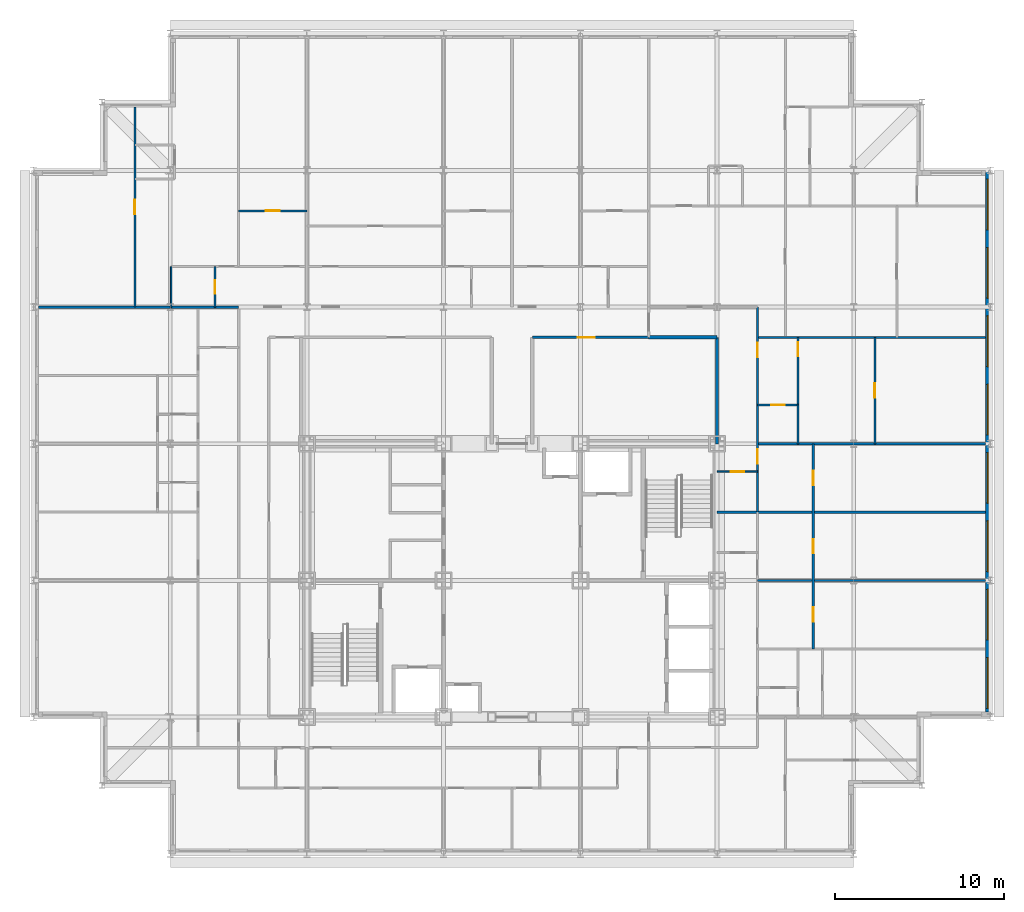
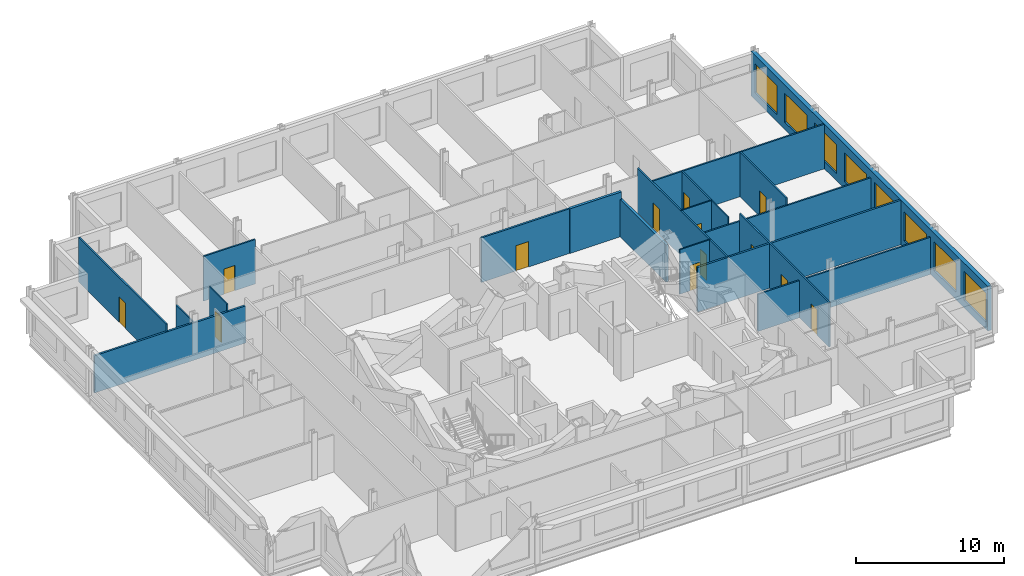
# One storey, part 11 of 15: 20 walls, 13 doors, 8 windows, 21 openings.
"""IFC4 building model written with IfcOpenShell, lengths in metres."""

from ifc_helpers import new_model, si_unit, direction, frame, frame_2d, origin, place, context, subcontext, project, spatial, rectangle, extrude, material, layer, layer_set, type_object, element, fill, save


model = new_model("IFC4")

# Units and contexts
model_context = context("Model", 3, precision=1e-05, world=origin(), true_north=direction((0.0, 1.0)))
body_context = subcontext(model_context, "Body", "Model", "MODEL_VIEW")
ifc_project = project(units=[si_unit("LENGTHUNIT", "METRE"), si_unit("AREAUNIT", "SQUARE_METRE"), si_unit("VOLUMEUNIT", "CUBIC_METRE"), si_unit("PLANEANGLEUNIT", "RADIAN"), si_unit("MASSUNIT", "GRAM", prefix="KILO")], contexts=[model_context])

# Site, building, storey
site_placement = place(None, origin())
site = spatial("IfcSite", under=ifc_project, at=site_placement, CompositionType="ELEMENT")
building_placement = place(site_placement, origin())
building = spatial("IfcBuilding", under=site, at=building_placement, Name="Kopane Lantern Tower", CompositionType="ELEMENT")
storey_placement = place(building_placement, frame((0.0, 0.0, 281.39990234375)))
storey = spatial("IfcBuildingStorey", under=building, at=storey_placement, Name="L72", CompositionType="ELEMENT", Elevation=281.39990234375)

# Wall
ifc_material_1 = material(Name="Gypsum board on steel studs", Category="steel")
ifc_layer_1 = layer(ifc_material_1, 0.1201171875)
ifc_layer_set_1 = layer_set([ifc_layer_1], Name="APARTMENT INTERNAL WALL 120")
wall_type_1 = type_object("IfcWallType", Name="APARTMENT INTERNAL WALL 120", PredefinedType="PARTITIONING", material=ifc_layer_set_1)
wall_1_placement = place(storey_placement, frame((42.89990234375, 32.39990234375, 0.0), z_axis=(0.0, 0.0, 1.0), x_axis=(1.0, 0.0, 0.0)))
element("IfcWall", 1, at=wall_1_placement, inside=storey, type_object=wall_type_1, Name="Apartment Internal Wall 120 L72", PredefinedType="PARTITIONING", context=body_context, shape_type="SweptSolid", body=[
    extrude(rectangle(XDim=13.5, YDim=0.1201171875, at=frame_2d((6.75, 0.0))), origin(), (0.0, 0.0, 1.0), 3.077880859375),
])

# Wall, openings, doors
wall_2_placement = place(storey_placement, frame((42.89990234375, 48.60009765625, 0.0), z_axis=(0.0, 0.0, 1.0), x_axis=(0.0, -1.0, 0.0)))
wall_2 = element("IfcWall", 2, at=wall_2_placement, inside=storey, type_object=wall_type_1, Name="Apartment Internal Wall 120 L72", PredefinedType="PARTITIONING", context=body_context, shape_type="SweptSolid", body=[
    extrude(rectangle(XDim=12.150146484375, YDim=0.1201171875, at=frame_2d((6.0751953125, 0.0))), origin(), (0.0, 0.0, 1.0), 3.690185546875),
])
opening_1_placement = place(wall_2_placement, frame((2.125, 0.0, 0.0)))
opening_1 = element("IfcOpeningElement", 3, at=opening_1_placement, cuts=wall_2, Name="Opening L72-052", PredefinedType="OPENING", context=body_context, shape_type="SweptSolid", body=[
    extrude(rectangle(XDim=0.85009765625, YDim=2.10009765625, at=frame_2d((0.425048828125, 1.050048828125))), frame((0.0, 0.070068359375, 0.0), z_axis=(0.0, -1.0, 0.0), x_axis=(1.0, 0.0, 0.0)), (0.0, 0.0, 1.0), 0.14013671875),
])
opening_2_placement = place(wall_2_placement, frame((8.425048828125, 0.0, 0.0)))
opening_2 = element("IfcOpeningElement", 4, at=opening_2_placement, cuts=wall_2, Name="Opening L72-053", PredefinedType="OPENING", context=body_context, shape_type="SweptSolid", body=[
    extrude(rectangle(XDim=0.85009765625, YDim=2.10009765625, at=frame_2d((0.425048828125, 1.050048828125))), frame((0.0, 0.070068359375, 0.0), z_axis=(0.0, -1.0, 0.0), x_axis=(1.0, 0.0, 0.0)), (0.0, 0.0, 1.0), 0.14013671875),
])
ifc_material_2 = material(Name="Timber door set", Category="wood")
door_type_1 = type_object("IfcDoorType", Name="DOOR D4 850x2100", OperationType="SINGLE_SWING_LEFT", PredefinedType="DOOR", material=ifc_material_2)
door_1_placement = place(opening_1_placement, origin())
door_1 = element("IfcDoor", 5, at=door_1_placement, inside=storey, type_object=door_type_1, Name="Door L72-052", OperationType="SINGLE_SWING_LEFT", OverallHeight=2.10009765625, OverallWidth=0.85009765625, PredefinedType="DOOR", context=body_context, shape_type="SweptSolid", body=[
    extrude(rectangle(XDim=0.85009765625, YDim=2.10009765625, at=frame_2d((0.425048828125, 1.050048828125))), frame((0.0, 0.02490234375, 0.0), z_axis=(0.0, -1.0, 0.0), x_axis=(1.0, 0.0, 0.0)), (0.0, 0.0, 1.0), 0.050048828125),
])
fill(opening_1, door_1)
door_2_placement = place(opening_2_placement, origin())
door_2 = element("IfcDoor", 6, at=door_2_placement, inside=storey, type_object=door_type_1, Name="Door L72-053", OperationType="SINGLE_SWING_LEFT", OverallHeight=2.10009765625, OverallWidth=0.85009765625, PredefinedType="DOOR", context=body_context, shape_type="SweptSolid", body=[
    extrude(rectangle(XDim=0.85009765625, YDim=2.10009765625, at=frame_2d((0.425048828125, 1.050048828125))), frame((0.0, 0.02490234375, 0.0), z_axis=(0.0, -1.0, 0.0), x_axis=(1.0, 0.0, 0.0)), (0.0, 0.0, 1.0), 0.050048828125),
])
fill(opening_2, door_2)

# Walls
wall_3_placement = place(storey_placement, frame((42.89990234375, 46.800048828125, 0.0), z_axis=(0.0, 0.0, 1.0), x_axis=(1.0, 0.0, 0.0)))
element("IfcWall", 7, at=wall_3_placement, inside=storey, type_object=wall_type_1, Name="Apartment Internal Wall 120 L72", PredefinedType="PARTITIONING", context=body_context, shape_type="SweptSolid", body=[
    extrude(rectangle(XDim=13.5, YDim=0.1201171875, at=frame_2d((6.75, 0.0))), origin(), (0.0, 0.0, 1.0), 3.690185546875),
])
wall_4_placement = place(storey_placement, frame((42.89990234375, 40.5, 0.0), z_axis=(0.0, 0.0, 1.0), x_axis=(1.0, 0.0, 0.0)))
element("IfcWall", 8, at=wall_4_placement, inside=storey, type_object=wall_type_1, Name="Apartment Internal Wall 120 L72", PredefinedType="PARTITIONING", context=body_context, shape_type="SweptSolid", body=[
    extrude(rectangle(XDim=13.5, YDim=0.1201171875, at=frame_2d((6.75, 0.0))), origin(), (0.0, 0.0, 1.0), 3.077880859375),
])

# Wall, opening, door
wall_5_placement = place(storey_placement, frame((45.300048828125, 46.800048828125, 0.0), z_axis=(0.0, 0.0, 1.0), x_axis=(0.0, -1.0, 0.0)))
wall_5 = element("IfcWall", 9, at=wall_5_placement, inside=storey, type_object=wall_type_1, Name="Apartment Internal Wall 120 L72", PredefinedType="PARTITIONING", context=body_context, shape_type="SweptSolid", body=[
    extrude(rectangle(XDim=4.010009765625, YDim=0.1201171875, at=frame_2d((2.0048828125, 0.0))), origin(), (0.0, 0.0, 1.0), 3.690185546875),
])
opening_3_placement = place(wall_5_placement, frame((0.27490234375, 0.0, 0.0)))
opening_3 = element("IfcOpeningElement", 10, at=opening_3_placement, cuts=wall_5, Name="Opening L72-059", PredefinedType="OPENING", context=body_context, shape_type="SweptSolid", body=[
    extrude(rectangle(XDim=0.85009765625, YDim=2.10009765625, at=frame_2d((0.425048828125, 1.050048828125))), frame((0.0, 0.070068359375, 0.0), z_axis=(0.0, -1.0, 0.0), x_axis=(1.0, 0.0, 0.0)), (0.0, 0.0, 1.0), 0.14013671875),
])
door_3_placement = place(opening_3_placement, origin())
door_3 = element("IfcDoor", 11, at=door_3_placement, inside=storey, type_object=door_type_1, Name="Door L72-059", OperationType="SINGLE_SWING_LEFT", OverallHeight=2.10009765625, OverallWidth=0.85009765625, PredefinedType="DOOR", context=body_context, shape_type="SweptSolid", body=[
    extrude(rectangle(XDim=0.85009765625, YDim=2.10009765625, at=frame_2d((0.425048828125, 1.050048828125))), frame((0.0, 0.02490234375, 0.0), z_axis=(0.0, -1.0, 0.0), x_axis=(1.0, 0.0, 0.0)), (0.0, 0.0, 1.0), 0.050048828125),
])
fill(opening_3, door_3)

wall_6_placement = place(storey_placement, frame((12.14990234375, 54.300048828125, 0.0), z_axis=(0.0, 0.0, 1.0), x_axis=(1.0, 0.0, 0.0)))
wall_6 = element("IfcWall", 12, at=wall_6_placement, inside=storey, type_object=wall_type_1, Name="Apartment Internal Wall 120 L72", PredefinedType="PARTITIONING", context=body_context, shape_type="SweptSolid", body=[
    extrude(rectangle(XDim=4.050048828125, YDim=0.1201171875, at=frame_2d((2.02490234375, 0.0))), origin(), (0.0, 0.0, 1.0), 3.690185546875),
])
opening_4_placement = place(wall_6_placement, frame((1.60009765625, 0.0, 0.0)))
opening_4 = element("IfcOpeningElement", 13, at=opening_4_placement, cuts=wall_6, Name="Opening L72-063", PredefinedType="OPENING", context=body_context, shape_type="SweptSolid", body=[
    extrude(rectangle(XDim=0.85009765625, YDim=2.10009765625, at=frame_2d((0.425048828125, 1.050048828125))), frame((0.0, 0.070068359375, 0.0), z_axis=(0.0, -1.0, 0.0), x_axis=(1.0, 0.0, 0.0)), (0.0, 0.0, 1.0), 0.14013671875),
])
door_4_placement = place(opening_4_placement, origin())
door_4 = element("IfcDoor", 14, at=door_4_placement, inside=storey, type_object=door_type_1, Name="Door L72-063", OperationType="SINGLE_SWING_RIGHT", OverallHeight=2.10009765625, OverallWidth=0.85009765625, PredefinedType="DOOR", context=body_context, shape_type="SweptSolid", body=[
    extrude(rectangle(XDim=0.85009765625, YDim=2.10009765625, at=frame_2d((0.425048828125, 1.050048828125))), frame((0.0, 0.02490234375, 0.0), z_axis=(0.0, -1.0, 0.0), x_axis=(1.0, 0.0, 0.0)), (0.0, 0.0, 1.0), 0.050048828125),
])
fill(opening_4, door_4)

wall_7_placement = place(storey_placement, frame((6.0, 48.60009765625, 0.0), z_axis=(0.0, 0.0, 1.0), x_axis=(0.0, 1.0, 0.0)))
wall_7 = element("IfcWall", 15, at=wall_7_placement, inside=storey, type_object=wall_type_1, Name="Apartment Internal Wall 120 L72", PredefinedType="PARTITIONING", context=body_context, shape_type="SweptSolid", body=[
    extrude(rectangle(XDim=11.849853515625, YDim=0.1201171875, at=frame_2d((5.9248046875, 0.0))), origin(), (0.0, 0.0, 1.0), 3.690185546875),
])
opening_5_placement = place(wall_7_placement, frame((5.5, 0.0, 0.0)))
opening_5 = element("IfcOpeningElement", 16, at=opening_5_placement, cuts=wall_7, Name="Opening L72-064", PredefinedType="OPENING", context=body_context, shape_type="SweptSolid", body=[
    extrude(rectangle(XDim=0.85009765625, YDim=2.10009765625, at=frame_2d((0.425048828125, 1.050048828125))), frame((0.0, 0.070068359375, 0.0), z_axis=(0.0, -1.0, 0.0), x_axis=(1.0, 0.0, 0.0)), (0.0, 0.0, 1.0), 0.14013671875),
])
door_5_placement = place(opening_5_placement, origin())
door_5 = element("IfcDoor", 17, at=door_5_placement, inside=storey, type_object=door_type_1, Name="Door L72-064", OperationType="SINGLE_SWING_LEFT", OverallHeight=2.10009765625, OverallWidth=0.85009765625, PredefinedType="DOOR", context=body_context, shape_type="SweptSolid", body=[
    extrude(rectangle(XDim=0.85009765625, YDim=2.10009765625, at=frame_2d((0.425048828125, 1.050048828125))), frame((0.0, 0.02490234375, 0.0), z_axis=(0.0, -1.0, 0.0), x_axis=(1.0, 0.0, 0.0)), (0.0, 0.0, 1.0), 0.050048828125),
])
fill(opening_5, door_5)

# Wall, openings, doors
wall_8_placement = place(storey_placement, frame((46.199951171875, 28.35009765625, 0.0), z_axis=(0.0, 0.0, 1.0), x_axis=(0.0, 1.0, 0.0)))
wall_8 = element("IfcWall", 18, at=wall_8_placement, inside=storey, type_object=wall_type_1, Name="Apartment Internal Wall 120 L72", PredefinedType="PARTITIONING", context=body_context, shape_type="SweptSolid", body=[
    extrude(rectangle(XDim=12.14990234375, YDim=0.1201171875, at=frame_2d((6.074951171875, 0.0))), origin(), (0.0, 0.0, 1.0), 3.690185546875),
])
opening_6_placement = place(wall_8_placement, frame((1.60009765625, 0.0, 0.0)))
opening_6 = element("IfcOpeningElement", 19, at=opening_6_placement, cuts=wall_8, Name="Opening L72-067", PredefinedType="OPENING", context=body_context, shape_type="SweptSolid", body=[
    extrude(rectangle(XDim=0.85009765625, YDim=2.10009765625, at=frame_2d((0.425048828125, 1.050048828125))), frame((0.0, 0.070068359375, 0.0), z_axis=(0.0, -1.0, 0.0), x_axis=(1.0, 0.0, 0.0)), (0.0, 0.0, 1.0), 0.14013671875),
])
opening_7_placement = place(wall_8_placement, frame((5.64990234375, 0.0, 0.0)))
opening_7 = element("IfcOpeningElement", 20, at=opening_7_placement, cuts=wall_8, Name="Opening L72-068", PredefinedType="OPENING", context=body_context, shape_type="SweptSolid", body=[
    extrude(rectangle(XDim=0.85009765625, YDim=2.10009765625, at=frame_2d((0.425048828125, 1.050048828125))), frame((0.0, 0.070068359375, 0.0), z_axis=(0.0, -1.0, 0.0), x_axis=(1.0, 0.0, 0.0)), (0.0, 0.0, 1.0), 0.14013671875),
])
opening_8_placement = place(wall_8_placement, frame((9.699951171875, 0.0, 0.0)))
opening_8 = element("IfcOpeningElement", 21, at=opening_8_placement, cuts=wall_8, Name="Opening L72-072", PredefinedType="OPENING", context=body_context, shape_type="SweptSolid", body=[
    extrude(rectangle(XDim=0.85009765625, YDim=2.10009765625, at=frame_2d((0.425048828125, 1.050048828125))), frame((0.0, 0.070068359375, 0.0), z_axis=(0.0, -1.0, 0.0), x_axis=(1.0, 0.0, 0.0)), (0.0, 0.0, 1.0), 0.14013671875),
])
door_6_placement = place(opening_6_placement, origin())
door_6 = element("IfcDoor", 22, at=door_6_placement, inside=storey, type_object=door_type_1, Name="Door L72-067", OperationType="SINGLE_SWING_LEFT", OverallHeight=2.10009765625, OverallWidth=0.85009765625, PredefinedType="DOOR", context=body_context, shape_type="SweptSolid", body=[
    extrude(rectangle(XDim=0.85009765625, YDim=2.10009765625, at=frame_2d((0.425048828125, 1.050048828125))), frame((0.0, 0.02490234375, 0.0), z_axis=(0.0, -1.0, 0.0), x_axis=(1.0, 0.0, 0.0)), (0.0, 0.0, 1.0), 0.050048828125),
])
fill(opening_6, door_6)
door_7_placement = place(opening_7_placement, origin())
door_7 = element("IfcDoor", 23, at=door_7_placement, inside=storey, type_object=door_type_1, Name="Door L72-068", OperationType="SINGLE_SWING_RIGHT", OverallHeight=2.10009765625, OverallWidth=0.85009765625, PredefinedType="DOOR", context=body_context, shape_type="SweptSolid", body=[
    extrude(rectangle(XDim=0.85009765625, YDim=2.10009765625, at=frame_2d((0.425048828125, 1.050048828125))), frame((0.0, 0.02490234375, 0.0), z_axis=(0.0, -1.0, 0.0), x_axis=(1.0, 0.0, 0.0)), (0.0, 0.0, 1.0), 0.050048828125),
])
fill(opening_7, door_7)
door_8_placement = place(opening_8_placement, origin())
door_8 = element("IfcDoor", 24, at=door_8_placement, inside=storey, type_object=door_type_1, Name="Door L72-072", OperationType="SINGLE_SWING_LEFT", OverallHeight=2.10009765625, OverallWidth=0.85009765625, PredefinedType="DOOR", context=body_context, shape_type="SweptSolid", body=[
    extrude(rectangle(XDim=0.85009765625, YDim=2.10009765625, at=frame_2d((0.425048828125, 1.050048828125))), frame((0.0, 0.02490234375, 0.0), z_axis=(0.0, -1.0, 0.0), x_axis=(1.0, 0.0, 0.0)), (0.0, 0.0, 1.0), 0.050048828125),
])
fill(opening_8, door_8)

# Wall, opening, door
wall_9_placement = place(storey_placement, frame((49.85009765625, 40.5, 0.0), z_axis=(0.0, 0.0, 1.0), x_axis=(0.0, 1.0, 0.0)))
wall_9 = element("IfcWall", 25, at=wall_9_placement, inside=storey, type_object=wall_type_1, Name="Apartment Internal Wall 120 L72", PredefinedType="PARTITIONING", context=body_context, shape_type="SweptSolid", body=[
    extrude(rectangle(XDim=6.300048828125, YDim=0.1201171875, at=frame_2d((3.14990234375, 0.0))), origin(), (0.0, 0.0, 1.0), 3.690185546875),
])
opening_9_placement = place(wall_9_placement, frame((2.72509765625, 0.0, 0.0)))
opening_9 = element("IfcOpeningElement", 26, at=opening_9_placement, cuts=wall_9, Name="Opening L72-071", PredefinedType="OPENING", context=body_context, shape_type="SweptSolid", body=[
    extrude(rectangle(XDim=0.85009765625, YDim=2.10009765625, at=frame_2d((0.425048828125, 1.050048828125))), frame((0.0, 0.070068359375, 0.0), z_axis=(0.0, -1.0, 0.0), x_axis=(1.0, 0.0, 0.0)), (0.0, 0.0, 1.0), 0.14013671875),
])
door_9_placement = place(opening_9_placement, origin())
door_9 = element("IfcDoor", 27, at=door_9_placement, inside=storey, type_object=door_type_1, Name="Door L72-071", OperationType="SINGLE_SWING_LEFT", OverallHeight=2.10009765625, OverallWidth=0.85009765625, PredefinedType="DOOR", context=body_context, shape_type="SweptSolid", body=[
    extrude(rectangle(XDim=0.85009765625, YDim=2.10009765625, at=frame_2d((0.425048828125, 1.050048828125))), frame((0.0, 0.02490234375, 0.0), z_axis=(0.0, -1.0, 0.0), x_axis=(1.0, 0.0, 0.0)), (0.0, 0.0, 1.0), 0.050048828125),
])
fill(opening_9, door_9)

ifc_material_3 = material(Name="Moisture-resistant board on steel studs", Category="steel")
ifc_layer_2 = layer(ifc_material_3, 0.10009765625)
ifc_layer_set_2 = layer_set([ifc_layer_2], Name="BATHROOM WALL 100")
wall_type_2 = type_object("IfcWallType", Name="BATHROOM WALL 100", PredefinedType="PARTITIONING", material=ifc_layer_set_2)
wall_10_placement = place(storey_placement, frame((10.75, 48.60009765625, 0.0), z_axis=(0.0, 0.0, 1.0), x_axis=(0.0, 1.0, 0.0)))
wall_10 = element("IfcWall", 28, at=wall_10_placement, inside=storey, type_object=wall_type_2, Name="Bathroom Wall 100 L72", PredefinedType="PARTITIONING", context=body_context, shape_type="SweptSolid", body=[
    extrude(rectangle(XDim=2.39990234375, YDim=0.10009765625, at=frame_2d((1.199951171875, 0.0))), origin(), (0.0, 0.0, 1.0), 3.690185546875),
])
opening_10_placement = place(wall_10_placement, frame((0.800048828125, 0.0, 0.0)))
opening_10 = element("IfcOpeningElement", 29, at=opening_10_placement, cuts=wall_10, Name="Opening L72-035", PredefinedType="OPENING", context=body_context, shape_type="SweptSolid", body=[
    extrude(rectangle(XDim=0.800048828125, YDim=2.10009765625, at=frame_2d((0.39990234375, 1.050048828125))), frame((0.0, 0.06005859375, 0.0), z_axis=(0.0, -1.0, 0.0), x_axis=(1.0, 0.0, 0.0)), (0.0, 0.0, 1.0), 0.1201171875),
])
ifc_material_4 = material(Name="Timber door set", Category="wood")
door_type_2 = type_object("IfcDoorType", Name="DOOR D2 800x2100", OperationType="SINGLE_SWING_LEFT", PredefinedType="DOOR", material=ifc_material_4)
door_10_placement = place(opening_10_placement, origin())
door_10 = element("IfcDoor", 30, at=door_10_placement, inside=storey, type_object=door_type_2, Name="Door L72-035", OperationType="SINGLE_SWING_LEFT", OverallHeight=2.10009765625, OverallWidth=0.800048828125, PredefinedType="DOOR", context=body_context, shape_type="SweptSolid", body=[
    extrude(rectangle(XDim=0.800048828125, YDim=2.10009765625, at=frame_2d((0.39990234375, 1.050048828125))), frame((0.0, 0.02490234375, 0.0), z_axis=(0.0, -1.0, 0.0), x_axis=(1.0, 0.0, 0.0)), (0.0, 0.0, 1.0), 0.050048828125),
])
fill(opening_10, door_10)

# Wall
wall_11_placement = place(storey_placement, frame((8.14990234375, 48.60009765625, 0.0), z_axis=(0.0, 0.0, 1.0), x_axis=(0.0, 1.0, 0.0)))
element("IfcWall", 31, at=wall_11_placement, inside=storey, type_object=wall_type_2, Name="Bathroom Wall 100 L72", PredefinedType="PARTITIONING", context=body_context, shape_type="SweptSolid", body=[
    extrude(rectangle(XDim=2.39990234375, YDim=0.10009765625, at=frame_2d((1.199951171875, 0.0))), origin(), (0.0, 0.0, 1.0), 3.077880859375),
])

# Wall, opening, door
wall_12_placement = place(storey_placement, frame((40.5, 38.85009765625, 0.0), z_axis=(0.0, 0.0, 1.0), x_axis=(1.0, 0.0, 0.0)))
wall_12 = element("IfcWall", 32, at=wall_12_placement, inside=storey, type_object=wall_type_2, Name="Bathroom Wall 100 L72", PredefinedType="PARTITIONING", context=body_context, shape_type="SweptSolid", body=[
    extrude(rectangle(XDim=2.39990234375, YDim=0.10009765625, at=frame_2d((1.199951171875, 0.0))), origin(), (0.0, 0.0, 1.0), 3.690185546875),
])
opening_11_placement = place(wall_12_placement, frame((0.800048828125, 0.0, 0.0)))
opening_11 = element("IfcOpeningElement", 33, at=opening_11_placement, cuts=wall_12, Name="Opening L72-046", PredefinedType="OPENING", context=body_context, shape_type="SweptSolid", body=[
    extrude(rectangle(XDim=0.800048828125, YDim=2.10009765625, at=frame_2d((0.39990234375, 1.050048828125))), frame((0.0, 0.06005859375, 0.0), z_axis=(0.0, -1.0, 0.0), x_axis=(1.0, 0.0, 0.0)), (0.0, 0.0, 1.0), 0.1201171875),
])
door_11_placement = place(opening_11_placement, origin())
door_11 = element("IfcDoor", 34, at=door_11_placement, inside=storey, type_object=door_type_2, Name="Door L72-046", OperationType="SINGLE_SWING_RIGHT", OverallHeight=2.10009765625, OverallWidth=0.800048828125, PredefinedType="DOOR", context=body_context, shape_type="SweptSolid", body=[
    extrude(rectangle(XDim=0.800048828125, YDim=2.10009765625, at=frame_2d((0.39990234375, 1.050048828125))), frame((0.0, 0.02490234375, 0.0), z_axis=(0.0, -1.0, 0.0), x_axis=(1.0, 0.0, 0.0)), (0.0, 0.0, 1.0), 0.050048828125),
])
fill(opening_11, door_11)

wall_13_placement = place(storey_placement, frame((42.89990234375, 42.800048828125, 0.0), z_axis=(0.0, 0.0, 1.0), x_axis=(1.0, 0.0, 0.0)))
wall_13 = element("IfcWall", 35, at=wall_13_placement, inside=storey, type_object=wall_type_2, Name="Bathroom Wall 100 L72", PredefinedType="PARTITIONING", context=body_context, shape_type="SweptSolid", body=[
    extrude(rectangle(XDim=2.400146484375, YDim=0.10009765625, at=frame_2d((1.2001953125, 0.0))), origin(), (0.0, 0.0, 1.0), 3.690185546875),
])
opening_12_placement = place(wall_13_placement, frame((0.800048828125, 0.0, 0.0)))
opening_12 = element("IfcOpeningElement", 36, at=opening_12_placement, cuts=wall_13, Name="Opening L72-051", PredefinedType="OPENING", context=body_context, shape_type="SweptSolid", body=[
    extrude(rectangle(XDim=0.800048828125, YDim=2.10009765625, at=frame_2d((0.39990234375, 1.050048828125))), frame((0.0, 0.06005859375, 0.0), z_axis=(0.0, -1.0, 0.0), x_axis=(1.0, 0.0, 0.0)), (0.0, 0.0, 1.0), 0.1201171875),
])
door_12_placement = place(opening_12_placement, origin())
door_12 = element("IfcDoor", 37, at=door_12_placement, inside=storey, type_object=door_type_2, Name="Door L72-051", OperationType="SINGLE_SWING_LEFT", OverallHeight=2.10009765625, OverallWidth=0.800048828125, PredefinedType="DOOR", context=body_context, shape_type="SweptSolid", body=[
    extrude(rectangle(XDim=0.800048828125, YDim=2.10009765625, at=frame_2d((0.39990234375, 1.050048828125))), frame((0.0, 0.02490234375, 0.0), z_axis=(0.0, -1.0, 0.0), x_axis=(1.0, 0.0, 0.0)), (0.0, 0.0, 1.0), 0.050048828125),
])
fill(opening_12, door_12)

# Wall
wall_14_placement = place(storey_placement, frame((45.300048828125, 42.800048828125, 0.0), z_axis=(0.0, 0.0, 1.0), x_axis=(0.0, -1.0, 0.0)))
element("IfcWall", 38, at=wall_14_placement, inside=storey, type_object=wall_type_2, Name="Bathroom Wall 100 L72", PredefinedType="PARTITIONING", context=body_context, shape_type="SweptSolid", body=[
    extrude(rectangle(XDim=2.300048828125, YDim=0.10009765625, at=frame_2d((1.14990234375, 0.0))), origin(), (0.0, 0.0, 1.0), 3.690185546875),
])

# Wall, opening, door
ifc_material_5 = material(Name="Gypsum board on steel studs", Category="steel")
ifc_layer_3 = layer(ifc_material_5, 0.14990234375)
ifc_layer_set_3 = layer_set([ifc_layer_3], Name="CORRIDOR WALL 150 EI 60")
wall_type_3 = type_object("IfcWallType", Name="CORRIDOR WALL 150 EI 60", PredefinedType="PARTITIONING", material=ifc_layer_set_3)
wall_15_placement = place(storey_placement, frame((29.56005859375, 46.800048828125, 0.0), z_axis=(0.0, 0.0, 1.0), x_axis=(1.0, 0.0, 0.0)))
wall_15 = element("IfcWall", 39, at=wall_15_placement, inside=storey, type_object=wall_type_3, Name="Corridor Wall 150 Ei 60 L72", PredefinedType="PARTITIONING", context=body_context, shape_type="SweptSolid", body=[
    extrude(rectangle(XDim=6.889892578125, YDim=0.14990234375, at=frame_2d((3.44482421875, 0.0))), origin(), (0.0, 0.0, 1.0), 3.690185546875),
])
opening_13_placement = place(wall_15_placement, frame((2.68994140625, 0.0, 0.0)))
opening_13 = element("IfcOpeningElement", 40, at=opening_13_placement, cuts=wall_15, Name="Opening L72-005", PredefinedType="OPENING", context=body_context, shape_type="SweptSolid", body=[
    extrude(rectangle(XDim=1.0, YDim=2.10009765625, at=frame_2d((0.5, 1.050048828125))), frame((0.0, 0.0849609375, 0.0), z_axis=(0.0, -1.0, 0.0), x_axis=(1.0, 0.0, 0.0)), (0.0, 0.0, 1.0), 0.169921875),
])
ifc_material_6 = material(Name="Steel door set", Category="steel")
door_type_3 = type_object("IfcDoorType", Name="DOOR D5 1000x2100 FD60", OperationType="SINGLE_SWING_LEFT", PredefinedType="DOOR", material=ifc_material_6)
door_13_placement = place(opening_13_placement, origin())
door_13 = element("IfcDoor", 41, at=door_13_placement, inside=storey, type_object=door_type_3, Name="Door L72-005", OperationType="SINGLE_SWING_RIGHT", OverallHeight=2.10009765625, OverallWidth=1.0, PredefinedType="DOOR", context=body_context, shape_type="SweptSolid", body=[
    extrude(rectangle(XDim=1.0, YDim=2.10009765625, at=frame_2d((0.5, 1.050048828125))), frame((0.0, 0.02490234375, 0.0), z_axis=(0.0, -1.0, 0.0), x_axis=(1.0, 0.0, 0.0)), (0.0, 0.0, 1.0), 0.050048828125),
])
fill(opening_13, door_13)

# Walls
ifc_material_7 = material(Name="Gypsum board on steel studs", Category="steel")
ifc_layer_4 = layer(ifc_material_7, 0.14990234375)
ifc_layer_set_4 = layer_set([ifc_layer_4], Name="DEMISING WALL 150 EI 60")
wall_type_4 = type_object("IfcWallType", Name="DEMISING WALL 150 EI 60", PredefinedType="PARTITIONING", material=ifc_layer_set_4)
wall_16_placement = place(storey_placement, frame((0.300048828125, 48.60009765625, 0.0), z_axis=(0.0, 0.0, 1.0), x_axis=(1.0, 0.0, 0.0)))
element("IfcWall", 42, at=wall_16_placement, inside=storey, type_object=wall_type_4, Name="Demising Wall 150 Ei 60 L72", PredefinedType="PARTITIONING", context=body_context, shape_type="SweptSolid", body=[
    extrude(rectangle(XDim=11.849853515625, YDim=0.14990234375, at=frame_2d((5.9248046875, 0.0))), origin(), (0.0, 0.0, 1.0), 3.077880859375),
])
wall_17_placement = place(storey_placement, frame((40.5, 36.449951171875, 0.0), z_axis=(0.0, 0.0, 1.0), x_axis=(1.0, 0.0, 0.0)))
element("IfcWall", 43, at=wall_17_placement, inside=storey, type_object=wall_type_4, Name="Demising Wall 150 Ei 60 L72", PredefinedType="PARTITIONING", context=body_context, shape_type="SweptSolid", body=[
    extrude(rectangle(XDim=15.89990234375, YDim=0.14990234375, at=frame_2d((7.949951171875, 0.0))), origin(), (0.0, 0.0, 1.0), 3.690185546875),
])

# Wall, openings, windows
ifc_material_8 = material(Name="Terracotta rainscreen on light steel framing", Category="masonry")
ifc_layer_5 = layer(ifc_material_8, 0.300048828125)
ifc_layer_set_5 = layer_set([ifc_layer_5], Name="EXTERNAL WALL EW1 300 TERRACOTTA")
wall_type_5 = type_object("IfcWallType", Name="EXTERNAL WALL EW1 300 TERRACOTTA", PredefinedType="SOLIDWALL", material=ifc_layer_set_5)
wall_18_placement = place(storey_placement, frame((56.550048828125, 24.60009765625, 0.0), z_axis=(0.0, 0.0, 1.0), x_axis=(0.0, 1.0, 0.0)))
wall_18 = element("IfcWall", 44, at=wall_18_placement, inside=storey, type_object=wall_type_5, Name="External wall E L72", PredefinedType="SOLIDWALL", context=body_context, shape_type="SweptSolid", body=[
    extrude(rectangle(XDim=32.099853515625, YDim=0.300048828125, at=frame_2d((16.0498046875, 0.0))), origin(), (0.0, 0.0, 1.0), 3.690185546875),
])
opening_14_placement = place(wall_18_placement, frame((0.22509765625, 0.0, 0.60009765625)))
opening_14 = element("IfcOpeningElement", 45, at=opening_14_placement, cuts=wall_18, Name="Opening WR300240", PredefinedType="OPENING", context=body_context, shape_type="SweptSolid", body=[
    extrude(rectangle(XDim=3.0, YDim=2.39990234375, at=frame_2d((1.5, 1.199951171875))), frame((0.0, 0.159912109375, 0.0), z_axis=(0.0, -1.0, 0.0), x_axis=(1.0, 0.0, 0.0)), (0.0, 0.0, 1.0), 0.320068359375),
])
opening_15_placement = place(wall_18_placement, frame((4.27490234375, 0.0, 0.60009765625)))
opening_15 = element("IfcOpeningElement", 46, at=opening_15_placement, cuts=wall_18, Name="Opening WR300240", PredefinedType="OPENING", context=body_context, shape_type="SweptSolid", body=[
    extrude(rectangle(XDim=3.0, YDim=2.39990234375, at=frame_2d((1.5, 1.199951171875))), frame((0.0, 0.159912109375, 0.0), z_axis=(0.0, -1.0, 0.0), x_axis=(1.0, 0.0, 0.0)), (0.0, 0.0, 1.0), 0.320068359375),
])
opening_16_placement = place(wall_18_placement, frame((8.324951171875, 0.0, 0.60009765625)))
opening_16 = element("IfcOpeningElement", 47, at=opening_16_placement, cuts=wall_18, Name="Opening WR300240", PredefinedType="OPENING", context=body_context, shape_type="SweptSolid", body=[
    extrude(rectangle(XDim=3.0, YDim=2.39990234375, at=frame_2d((1.5, 1.199951171875))), frame((0.0, 0.159912109375, 0.0), z_axis=(0.0, -1.0, 0.0), x_axis=(1.0, 0.0, 0.0)), (0.0, 0.0, 1.0), 0.320068359375),
])
opening_17_placement = place(wall_18_placement, frame((12.375, 0.0, 0.60009765625)))
opening_17 = element("IfcOpeningElement", 48, at=opening_17_placement, cuts=wall_18, Name="Opening WR300240", PredefinedType="OPENING", context=body_context, shape_type="SweptSolid", body=[
    extrude(rectangle(XDim=3.0, YDim=2.39990234375, at=frame_2d((1.5, 1.199951171875))), frame((0.0, 0.159912109375, 0.0), z_axis=(0.0, -1.0, 0.0), x_axis=(1.0, 0.0, 0.0)), (0.0, 0.0, 1.0), 0.320068359375),
])
opening_18_placement = place(wall_18_placement, frame((16.425048828125, 0.0, 0.60009765625)))
opening_18 = element("IfcOpeningElement", 49, at=opening_18_placement, cuts=wall_18, Name="Opening WR300240", PredefinedType="OPENING", context=body_context, shape_type="SweptSolid", body=[
    extrude(rectangle(XDim=3.0, YDim=2.39990234375, at=frame_2d((1.5, 1.199951171875))), frame((0.0, 0.159912109375, 0.0), z_axis=(0.0, -1.0, 0.0), x_axis=(1.0, 0.0, 0.0)), (0.0, 0.0, 1.0), 0.320068359375),
])
opening_19_placement = place(wall_18_placement, frame((20.47509765625, 0.0, 0.60009765625)))
opening_19 = element("IfcOpeningElement", 50, at=opening_19_placement, cuts=wall_18, Name="Opening WR300240", PredefinedType="OPENING", context=body_context, shape_type="SweptSolid", body=[
    extrude(rectangle(XDim=3.0, YDim=2.39990234375, at=frame_2d((1.5, 1.199951171875))), frame((0.0, 0.159912109375, 0.0), z_axis=(0.0, -1.0, 0.0), x_axis=(1.0, 0.0, 0.0)), (0.0, 0.0, 1.0), 0.320068359375),
])
opening_20_placement = place(wall_18_placement, frame((24.52490234375, 0.0, 0.60009765625)))
opening_20 = element("IfcOpeningElement", 51, at=opening_20_placement, cuts=wall_18, Name="Opening WR300240", PredefinedType="OPENING", context=body_context, shape_type="SweptSolid", body=[
    extrude(rectangle(XDim=3.0, YDim=2.39990234375, at=frame_2d((1.5, 1.199951171875))), frame((0.0, 0.159912109375, 0.0), z_axis=(0.0, -1.0, 0.0), x_axis=(1.0, 0.0, 0.0)), (0.0, 0.0, 1.0), 0.320068359375),
])
opening_21_placement = place(wall_18_placement, frame((28.574951171875, 0.0, 0.60009765625)))
opening_21 = element("IfcOpeningElement", 52, at=opening_21_placement, cuts=wall_18, Name="Opening WR300240", PredefinedType="OPENING", context=body_context, shape_type="SweptSolid", body=[
    extrude(rectangle(XDim=3.0, YDim=2.39990234375, at=frame_2d((1.5, 1.199951171875))), frame((0.0, 0.159912109375, 0.0), z_axis=(0.0, -1.0, 0.0), x_axis=(1.0, 0.0, 0.0)), (0.0, 0.0, 1.0), 0.320068359375),
])
ifc_material_9 = material(Name="Aluminium and clear glass", Category="aluminium")
window_type = type_object("IfcWindowType", Name="RIBBON WINDOW WR300240 3000x2400", PartitioningType="SINGLE_PANEL", PredefinedType="WINDOW", material=ifc_material_9)
window_1_placement = place(opening_14_placement, origin())
window_1 = element("IfcWindow", 53, at=window_1_placement, inside=storey, type_object=window_type, Name="Window E L72", OverallHeight=2.39990234375, OverallWidth=3.0, PartitioningType="SINGLE_PANEL", PredefinedType="WINDOW", context=body_context, shape_type="SweptSolid", body=[
    extrude(rectangle(XDim=3.0, YDim=2.39990234375, at=frame_2d((1.5, 1.199951171875))), frame((0.0, 0.030029296875, 0.0), z_axis=(0.0, -1.0, 0.0), x_axis=(1.0, 0.0, 0.0)), (0.0, 0.0, 1.0), 0.06005859375),
])
fill(opening_14, window_1)
window_2_placement = place(opening_15_placement, origin())
window_2 = element("IfcWindow", 54, at=window_2_placement, inside=storey, type_object=window_type, Name="Window E L72", OverallHeight=2.39990234375, OverallWidth=3.0, PartitioningType="SINGLE_PANEL", PredefinedType="WINDOW", context=body_context, shape_type="SweptSolid", body=[
    extrude(rectangle(XDim=3.0, YDim=2.39990234375, at=frame_2d((1.5, 1.199951171875))), frame((0.0, 0.030029296875, 0.0), z_axis=(0.0, -1.0, 0.0), x_axis=(1.0, 0.0, 0.0)), (0.0, 0.0, 1.0), 0.06005859375),
])
fill(opening_15, window_2)
window_3_placement = place(opening_16_placement, origin())
window_3 = element("IfcWindow", 55, at=window_3_placement, inside=storey, type_object=window_type, Name="Window E L72", OverallHeight=2.39990234375, OverallWidth=3.0, PartitioningType="SINGLE_PANEL", PredefinedType="WINDOW", context=body_context, shape_type="SweptSolid", body=[
    extrude(rectangle(XDim=3.0, YDim=2.39990234375, at=frame_2d((1.5, 1.199951171875))), frame((0.0, 0.030029296875, 0.0), z_axis=(0.0, -1.0, 0.0), x_axis=(1.0, 0.0, 0.0)), (0.0, 0.0, 1.0), 0.06005859375),
])
fill(opening_16, window_3)
window_4_placement = place(opening_17_placement, origin())
window_4 = element("IfcWindow", 56, at=window_4_placement, inside=storey, type_object=window_type, Name="Window E L72", OverallHeight=2.39990234375, OverallWidth=3.0, PartitioningType="SINGLE_PANEL", PredefinedType="WINDOW", context=body_context, shape_type="SweptSolid", body=[
    extrude(rectangle(XDim=3.0, YDim=2.39990234375, at=frame_2d((1.5, 1.199951171875))), frame((0.0, 0.030029296875, 0.0), z_axis=(0.0, -1.0, 0.0), x_axis=(1.0, 0.0, 0.0)), (0.0, 0.0, 1.0), 0.06005859375),
])
fill(opening_17, window_4)
window_5_placement = place(opening_18_placement, origin())
window_5 = element("IfcWindow", 57, at=window_5_placement, inside=storey, type_object=window_type, Name="Window E L72", OverallHeight=2.39990234375, OverallWidth=3.0, PartitioningType="SINGLE_PANEL", PredefinedType="WINDOW", context=body_context, shape_type="SweptSolid", body=[
    extrude(rectangle(XDim=3.0, YDim=2.39990234375, at=frame_2d((1.5, 1.199951171875))), frame((0.0, 0.030029296875, 0.0), z_axis=(0.0, -1.0, 0.0), x_axis=(1.0, 0.0, 0.0)), (0.0, 0.0, 1.0), 0.06005859375),
])
fill(opening_18, window_5)
window_6_placement = place(opening_19_placement, origin())
window_6 = element("IfcWindow", 58, at=window_6_placement, inside=storey, type_object=window_type, Name="Window E L72", OverallHeight=2.39990234375, OverallWidth=3.0, PartitioningType="SINGLE_PANEL", PredefinedType="WINDOW", context=body_context, shape_type="SweptSolid", body=[
    extrude(rectangle(XDim=3.0, YDim=2.39990234375, at=frame_2d((1.5, 1.199951171875))), frame((0.0, 0.030029296875, 0.0), z_axis=(0.0, -1.0, 0.0), x_axis=(1.0, 0.0, 0.0)), (0.0, 0.0, 1.0), 0.06005859375),
])
fill(opening_19, window_6)
window_7_placement = place(opening_20_placement, origin())
window_7 = element("IfcWindow", 59, at=window_7_placement, inside=storey, type_object=window_type, Name="Window E L72", OverallHeight=2.39990234375, OverallWidth=3.0, PartitioningType="SINGLE_PANEL", PredefinedType="WINDOW", context=body_context, shape_type="SweptSolid", body=[
    extrude(rectangle(XDim=3.0, YDim=2.39990234375, at=frame_2d((1.5, 1.199951171875))), frame((0.0, 0.030029296875, 0.0), z_axis=(0.0, -1.0, 0.0), x_axis=(1.0, 0.0, 0.0)), (0.0, 0.0, 1.0), 0.06005859375),
])
fill(opening_20, window_7)
window_8_placement = place(opening_21_placement, origin())
window_8 = element("IfcWindow", 60, at=window_8_placement, inside=storey, type_object=window_type, Name="Window E L72", OverallHeight=2.39990234375, OverallWidth=3.0, PartitioningType="SINGLE_PANEL", PredefinedType="WINDOW", context=body_context, shape_type="SweptSolid", body=[
    extrude(rectangle(XDim=3.0, YDim=2.39990234375, at=frame_2d((1.5, 1.199951171875))), frame((0.0, 0.030029296875, 0.0), z_axis=(0.0, -1.0, 0.0), x_axis=(1.0, 0.0, 0.0)), (0.0, 0.0, 1.0), 0.06005859375),
])
fill(opening_21, window_8)

# Walls
ifc_material_10 = material(Name="Concrete masonry", Category="masonry")
ifc_layer_6 = layer(ifc_material_10, 0.199951171875)
ifc_layer_set_6 = layer_set([ifc_layer_6], Name="PLANT ROOM WALL 200 EI 120")
wall_type_6 = type_object("IfcWallType", Name="PLANT ROOM WALL 200 EI 120", PredefinedType="SOLIDWALL", material=ifc_layer_set_6)
wall_19_placement = place(storey_placement, frame((40.5, 40.5, 0.0), z_axis=(0.0, 0.0, 1.0), x_axis=(0.0, 1.0, 0.0)))
element("IfcWall", 61, at=wall_19_placement, inside=storey, type_object=wall_type_6, Name="Plant Room Wall 200 Ei 120 L72", PredefinedType="SOLIDWALL", context=body_context, shape_type="SweptSolid", body=[
    extrude(rectangle(XDim=6.300048828125, YDim=0.199951171875, at=frame_2d((3.14990234375, 0.0))), origin(), (0.0, 0.0, 1.0), 3.077880859375),
])
wall_20_placement = place(storey_placement, frame((36.449951171875, 46.800048828125, 0.0), z_axis=(0.0, 0.0, 1.0), x_axis=(1.0, 0.0, 0.0)))
element("IfcWall", 62, at=wall_20_placement, inside=storey, type_object=wall_type_6, Name="Plant Room Wall 200 Ei 120 L72", PredefinedType="SOLIDWALL", context=body_context, shape_type="SweptSolid", body=[
    extrude(rectangle(XDim=4.050048828125, YDim=0.199951171875, at=frame_2d((2.02490234375, 0.0))), origin(), (0.0, 0.0, 1.0), 3.690185546875),
])

save(model, "model.ifc")
